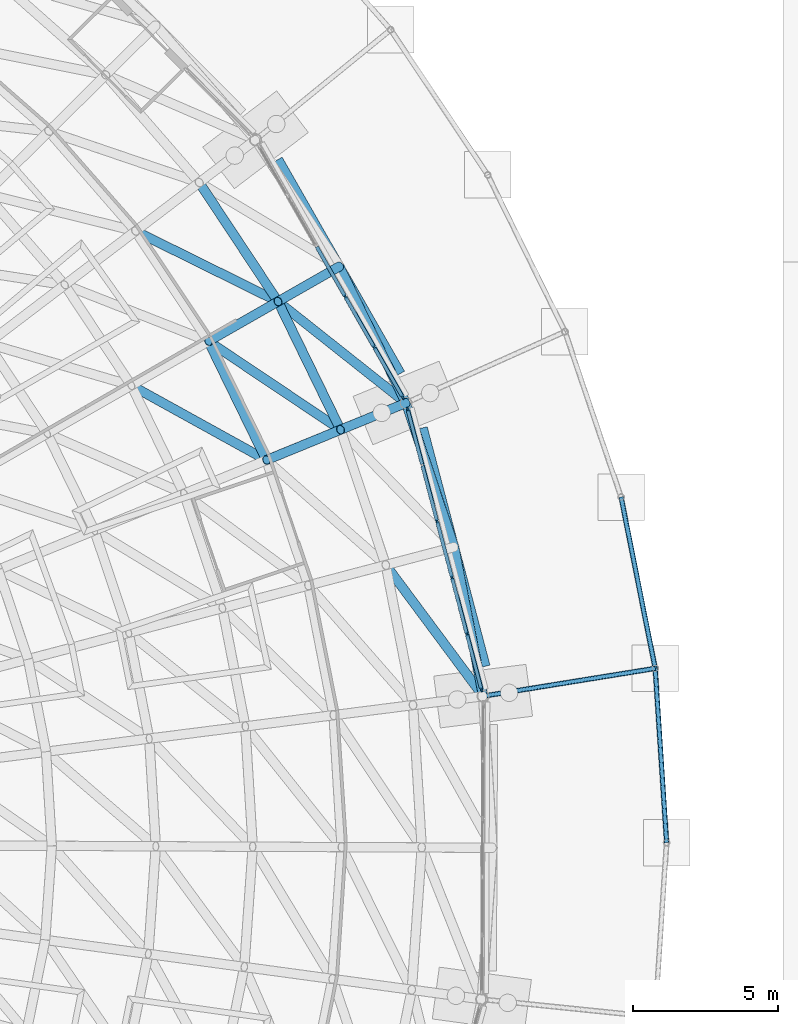
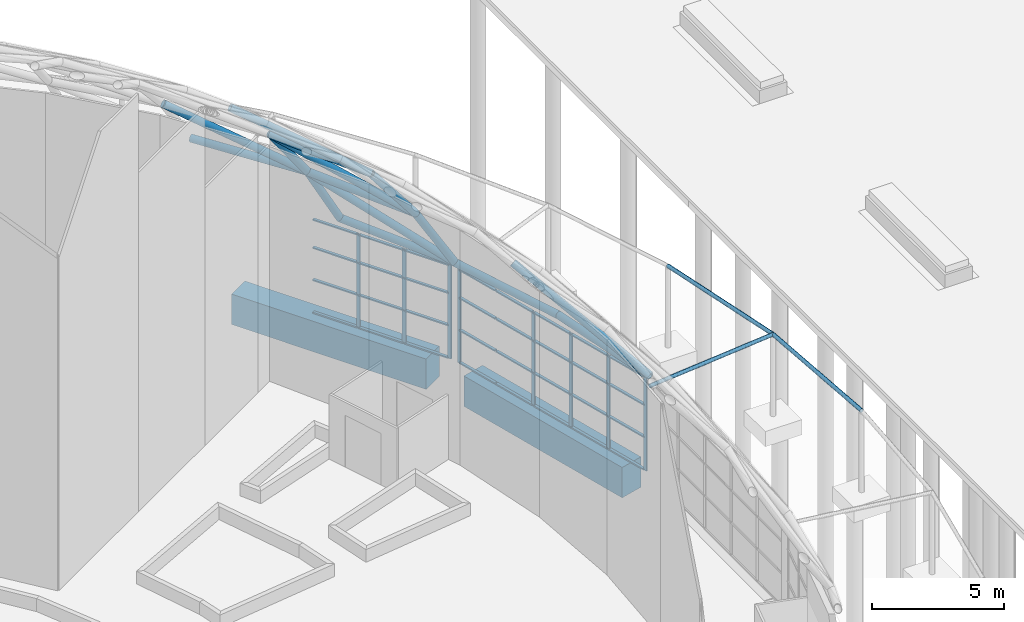
# One storey, part 112 of 226: 58 members, 2 beams, 2 elements without a shape of their own.
"""IFC4 building model written with IfcOpenShell, lengths in metres."""

from ifc_helpers import new_model, si_unit, direction, frame, origin, origin_2d, place, context, subcontext, project, spatial, rectangle, hollow_circle, extrude, material, material_profile, profile_set, type_object, element, aggregate, save


model = new_model("IFC4")

# Units and contexts
model_context = context("Model", 3, precision=1e-05, world=origin(), true_north=direction((0.0, 1.0)))
body_context = subcontext(model_context, "Body", "Model", "MODEL_VIEW")
ifc_project = project(units=[si_unit("LENGTHUNIT", "METRE"), si_unit("AREAUNIT", "SQUARE_METRE"), si_unit("VOLUMEUNIT", "CUBIC_METRE"), si_unit("PLANEANGLEUNIT", "RADIAN"), si_unit("MASSUNIT", "GRAM", prefix="KILO")], contexts=[model_context])

# Site, building, storey
site_placement = place(None, origin())
site = spatial("IfcSite", under=ifc_project, at=site_placement, CompositionType="ELEMENT")
building_placement = place(site_placement, origin())
building = spatial("IfcBuilding", under=site, at=building_placement, Name="Ceibo Conservatory and Research Tower", CompositionType="ELEMENT")
storey_placement = place(building_placement, origin())
storey = spatial("IfcBuildingStorey", under=building, at=storey_placement, Name="L00", CompositionType="ELEMENT", Elevation=0.0)

# Members
ifc_material_1 = material(Name="Steel ASTM A500 Gr C", Category="steel")
ifc_material_profile_1 = material_profile(ifc_material_1, hollow_circle(Radius=0.084228515625, WallThickness=0.007080078125, at=origin_2d()), Name="CHS 168.3x7.11")
ifc_profile_set_1 = profile_set([ifc_material_profile_1], Name="Steel ASTM A500 Gr C")
member_type_1 = type_object("IfcMemberType", Name="CHS 168.3x7.11", PredefinedType="NOTDEFINED", material=ifc_profile_set_1)
member_1_placement = place(storey_placement, frame((195.68017578125, 113.0478515625, 4.0), z_axis=(0.986210413701, 0.159140899335, -0.045422396083), x_axis=(-0.159305323087, 0.987229362426, 0.0)))
element("IfcMember", 1, at=member_1_placement, inside=storey, type_object=member_type_1, Name="Brim brace bracket A-BK01", PredefinedType="BRACE", context=body_context, shape_type="SweptSolid", body=[
    extrude(hollow_circle(Radius=0.084228515625, WallThickness=0.007080078125, at=origin_2d()), origin(), (0.0, 0.0, 1.0), 6.009033203125),
])
member_2_placement = place(storey_placement, frame((201.6064453125, 114.004150390625, 3.72705078125), z_axis=(-0.195077510829, 0.980783833043, -0.002799573263), x_axis=(-0.980787676566, -0.195078275304, 0.0)))
element("IfcMember", 2, at=member_2_placement, inside=storey, type_object=member_type_1, Name="Brim tip ring A-TR01", PredefinedType="CHORD", context=body_context, shape_type="SweptSolid", body=[
    extrude(hollow_circle(Radius=0.084228515625, WallThickness=0.007080078125, at=origin_2d()), origin(), (0.0, 0.0, 1.0), 6.017333984375),
])
member_3_placement = place(storey_placement, frame((202.0, 108.0, 3.710205078125), z_axis=(-0.065406493625, 0.99785477526, 0.002799657606), x_axis=(-0.997858685917, -0.065406749957, 0.0)))
element("IfcMember", 3, at=member_3_placement, inside=storey, type_object=member_type_1, Name="Brim tip ring A-TR31", PredefinedType="CHORD", context=body_context, shape_type="SweptSolid", body=[
    extrude(hollow_circle(Radius=0.084228515625, WallThickness=0.007080078125, at=origin_2d()), origin(), (0.0, 0.0, 1.0), 6.01708984375),
])
ifc_material_profile_2 = material_profile(ifc_material_1, hollow_circle(Radius=0.161865234375, WallThickness=0.01025390625, at=origin_2d()), Name="CHS 323.9x10.31")
ifc_profile_set_2 = profile_set([ifc_material_profile_2], Name="Steel ASTM A500 Gr C")
member_type_2 = type_object("IfcMemberType", Name="CHS 323.9x10.31", PredefinedType="NOTDEFINED", material=ifc_profile_set_2)
member_4_placement = place(storey_placement, frame((190.76806640625, 122.22412109375, 8.115966796875), z_axis=(-0.438426569084, 0.898767012924, 0.0), x_axis=(-0.898767012924, -0.438426569084, 0.0)))
element("IfcMember", 4, at=member_4_placement, inside=storey, type_object=member_type_2, Name="Gridshell member A-C02-03", PredefinedType="CHORD", context=body_context, shape_type="SweptSolid", body=[
    extrude(hollow_circle(Radius=0.161865234375, WallThickness=0.01025390625, at=origin_2d()), origin(), (0.0, 0.0, 1.0), 4.9130859375),
])
member_5_placement = place(storey_placement, frame((188.614013671875, 126.639892578125, 8.115966796875), z_axis=(-0.551853690439, 0.833940947759, 0.0), x_axis=(-0.833940947759, -0.551853690439, 0.0)))
element("IfcMember", 5, at=member_5_placement, inside=storey, type_object=member_type_2, Name="Gridshell member A-C02-04", PredefinedType="CHORD", context=body_context, shape_type="SweptSolid", body=[
    extrude(hollow_circle(Radius=0.161865234375, WallThickness=0.01025390625, at=origin_2d()), origin(), (0.0, 0.0, 1.0), 4.914306640625),
])
member_6_placement = place(storey_placement, frame((188.212890625, 121.178955078125, 11.489013671875), z_axis=(-0.43820278883, 0.898876140445, 0.0), x_axis=(-0.898876140445, -0.43820278883, 0.0)))
element("IfcMember", 6, at=member_6_placement, inside=storey, type_object=member_type_2, Name="Gridshell member A-C03-03", PredefinedType="CHORD", context=body_context, shape_type="SweptSolid", body=[
    extrude(hollow_circle(Radius=0.161865234375, WallThickness=0.01025390625, at=origin_2d()), origin(), (0.0, 0.0, 1.0), 4.552490234375),
])
ifc_material_profile_3 = material_profile(ifc_material_1, hollow_circle(Radius=0.161865234375, WallThickness=0.01416015625, at=origin_2d()), Name="CHS 323.9x14.27")
ifc_profile_set_3 = profile_set([ifc_material_profile_3], Name="Steel ASTM A500 Gr C")
member_type_3 = type_object("IfcMemberType", Name="CHS 323.9x14.27", PredefinedType="NOTDEFINED", material=ifc_profile_set_3)
member_7_placement = place(storey_placement, frame((193.02197265625, 123.14599609375, 4.5), z_axis=(-0.517011318733, -0.211463901596, 0.829446993257), x_axis=(0.378570383868, -0.925572506321, 0.0)))
element("IfcMember", 7, at=member_7_placement, inside=storey, type_object=member_type_3, Name="Gridshell member A-M03-01", PredefinedType="RAFTER", context=body_context, shape_type="SweptSolid", body=[
    extrude(hollow_circle(Radius=0.161865234375, WallThickness=0.01416015625, at=origin_2d()), origin(), (0.0, 0.0, 1.0), 4.359375),
])
member_8_placement = place(storey_placement, frame((190.72802734375, 127.84912109375, 4.5), z_axis=(-0.48490501886, -0.277368582794, 0.829417742735), x_axis=(0.496516740391, -0.868027146183, 0.0)))
element("IfcMember", 8, at=member_8_placement, inside=storey, type_object=member_type_3, Name="Gridshell member A-M04-01", PredefinedType="RAFTER", context=body_context, shape_type="SweptSolid", body=[
    extrude(hollow_circle(Radius=0.161865234375, WallThickness=0.01416015625, at=origin_2d()), origin(), (0.0, 0.0, 1.0), 4.359619140625),
])
member_9_placement = place(storey_placement, frame((190.76806640625, 122.22412109375, 8.115966796875), z_axis=(-0.586216957441, -0.239785476286, 0.773855673993), x_axis=(0.378591523362, -0.92556385973, 0.0)))
element("IfcMember", 9, at=member_9_placement, inside=storey, type_object=member_type_3, Name="Gridshell member A-M03-02", PredefinedType="RAFTER", context=body_context, shape_type="SweptSolid", body=[
    extrude(hollow_circle(Radius=0.161865234375, WallThickness=0.01416015625, at=origin_2d()), origin(), (0.0, 0.0, 1.0), 4.358642578125),
])
member_10_placement = place(storey_placement, frame((188.614013671875, 126.639892578125, 8.115966796875), z_axis=(-0.549793222513, -0.314111534403, 0.773990540274), x_axis=(0.496072241307, -0.868281251326, 0.0)))
element("IfcMember", 10, at=member_10_placement, inside=storey, type_object=member_type_3, Name="Gridshell member A-M04-02", PredefinedType="RAFTER", context=body_context, shape_type="SweptSolid", body=[
    extrude(hollow_circle(Radius=0.161865234375, WallThickness=0.01416015625, at=origin_2d()), origin(), (0.0, 0.0, 1.0), 4.35791015625),
])
ifc_material_2 = material(Name="Steel S355J2H", Category="steel")
ifc_material_profile_4 = material_profile(ifc_material_2, hollow_circle(Radius=0.161865234375, WallThickness=0.025390625, at=origin_2d()), Name="CHS 323.9x25.40")
ifc_profile_set_4 = profile_set([ifc_material_profile_4], Name="Steel S355J2H")
member_type_4 = type_object("IfcMemberType", Name="CHS 323.9x25.40", PredefinedType="NOTDEFINED", material=ifc_profile_set_4)
for number, where, z_axis, x_axis, name in (
    (11, (195.679931640625, 113.048095703125, 4.5), (-0.190756002721, 0.981637482692, 0.0), (-0.981637482692, -0.190756002721, 0.0), "Gridshell member A-C01-01"),
    (12, (194.681884765625, 118.18408203125, 4.5), (-0.317249462726, 0.948342120967, 0.0), (-0.948342120967, -0.317249462726, 0.0), "Gridshell member A-C01-02"),
):
    element("IfcMember", number, at=place(storey_placement, frame(where, z_axis=z_axis, x_axis=x_axis)), inside=storey, type_object=member_type_4, Name=name, PredefinedType="CHORD", context=body_context, shape_type="SweptSolid", body=[
        extrude(hollow_circle(Radius=0.161865234375, WallThickness=0.025390625, at=origin_2d()), origin(), (0.0, 0.0, 1.0), 5.232177734375),
    ])
member_11_placement = place(storey_placement, frame((193.02197265625, 123.14599609375, 4.5), z_axis=(-0.4383831856, 0.898788174479, 0.0), x_axis=(-0.898788174479, -0.4383831856, 0.0)))
element("IfcMember", 13, at=member_11_placement, inside=storey, type_object=member_type_4, Name="Gridshell member A-C01-03", PredefinedType="CHORD", context=body_context, shape_type="SweptSolid", body=[
    extrude(hollow_circle(Radius=0.161865234375, WallThickness=0.025390625, at=origin_2d()), origin(), (0.0, 0.0, 1.0), 5.232666015625),
])
ifc_material_profile_5 = material_profile(ifc_material_1, hollow_circle(Radius=0.161865234375, WallThickness=0.00830078125, at=origin_2d()), Name="CHS 323.9x8.38")
ifc_profile_set_5 = profile_set([ifc_material_profile_5], Name="Steel ASTM A500 Gr C")
member_type_5 = type_object("IfcMemberType", Name="CHS 323.9x8.38", PredefinedType="NOTDEFINED", material=ifc_profile_set_5)
member_12_placement = place(storey_placement, frame((195.679931640625, 113.048095703125, 4.5), z_axis=(-0.50145215671, 0.675357546429, 0.540775294381), x_axis=(-0.802881556814, -0.596138579298, 0.0)))
element("IfcMember", 14, at=member_12_placement, inside=storey, type_object=member_type_5, Name="Gridshell diagonal member A-D01-01", PredefinedType="BRACE", context=body_context, shape_type="SweptSolid", body=[
    extrude(hollow_circle(Radius=0.161865234375, WallThickness=0.00830078125, at=origin_2d()), origin(), (0.0, 0.0, 1.0), 6.6865234375),
])
member_13_placement = place(storey_placement, frame((193.02197265625, 123.14599609375, 4.5), z_axis=(-0.659207944056, 0.522510378698, 0.540765929627), x_axis=(-0.621168662427, -0.783676905885, 0.0)))
element("IfcMember", 15, at=member_13_placement, inside=storey, type_object=member_type_5, Name="Gridshell diagonal member A-D01-03", PredefinedType="BRACE", context=body_context, shape_type="SweptSolid", body=[
    extrude(hollow_circle(Radius=0.161865234375, WallThickness=0.00830078125, at=origin_2d()), origin(), (0.0, 0.0, 1.0), 6.686767578125),
])
member_14_placement = place(storey_placement, frame((190.76806640625, 122.22412109375, 8.115966796875), z_axis=(-0.707466124011, 0.473744552646, 0.524459514371), x_axis=(-0.556406933546, -0.83090993754, 0.0)))
element("IfcMember", 16, at=member_14_placement, inside=storey, type_object=member_type_5, Name="Gridshell diagonal member A-D02-03", PredefinedType="BRACE", context=body_context, shape_type="SweptSolid", body=[
    extrude(hollow_circle(Radius=0.161865234375, WallThickness=0.00830078125, at=origin_2d()), origin(), (0.0, 0.0, 1.0), 6.431396484375),
])
member_15_placement = place(storey_placement, frame((188.614013671875, 126.639892578125, 8.115966796875), z_axis=(-0.763253049819, 0.37735607342, 0.524449402512), x_axis=(-0.443196652189, -0.896424412591, 0.0)))
element("IfcMember", 17, at=member_15_placement, inside=storey, type_object=member_type_5, Name="Gridshell diagonal member A-D02-04", PredefinedType="BRACE", context=body_context, shape_type="SweptSolid", body=[
    extrude(hollow_circle(Radius=0.161865234375, WallThickness=0.00830078125, at=origin_2d()), origin(), (0.0, 0.0, 1.0), 6.431640625),
])
member_16_placement = place(storey_placement, frame((188.212890625, 121.178955078125, 11.489013671875), z_axis=(-0.75598317386, 0.417809397577, 0.503909464226), x_axis=(-0.483712028352, -0.875227212572, 0.0)))
element("IfcMember", 18, at=member_16_placement, inside=storey, type_object=member_type_5, Name="Gridshell diagonal member A-D03-03", PredefinedType="BRACE", context=body_context, shape_type="SweptSolid", body=[
    extrude(hollow_circle(Radius=0.161865234375, WallThickness=0.00830078125, at=origin_2d()), origin(), (0.0, 0.0, 1.0), 6.156005859375),
])

# Curtain wall, members
ifc_material_3 = material(Name="Aluminium and glass", Category="aluminium")
curtain_wall_type = type_object("IfcCurtainWallType", Name="Drum curtain wall", PredefinedType="NOTDEFINED", material=ifc_material_3)
curtain_wall_1_placement = place(storey_placement, origin())
curtain_wall_1 = element("IfcCurtainWall", 19, at=curtain_wall_1_placement, inside=storey, type_object=curtain_wall_type, Name="Drum curtain wall A-CW01", PredefinedType="NOTDEFINED")
ifc_material_4 = material(Name="Aluminium", Category="aluminium")
ifc_material_profile_6 = material_profile(ifc_material_4, rectangle(XDim=0.06005859375, YDim=0.159912109375, at=origin_2d()), Name="AL 60x160")
ifc_profile_set_6 = profile_set([ifc_material_profile_6], Name="Aluminium")
member_type_6 = type_object("IfcMemberType", Name="Drum mullion 60x160", PredefinedType="MULLION", material=ifc_profile_set_6)
member_17_placement = place(storey_placement, frame((195.620849609375, 113.2734375, 0.0), z_axis=(0.0, 0.0, 1.0), x_axis=(-0.967045935266, -0.254601962062, 0.0)))
member_17 = element("IfcMember", 20, at=member_17_placement, type_object=member_type_6, Name="A-CW01 mullion 1", PredefinedType="MULLION", context=body_context, shape_type="SweptSolid", body=[
    extrude(rectangle(XDim=0.06005859375, YDim=0.159912109375, at=origin_2d()), origin(), (0.0, 0.0, 1.0), 4.338134765625),
])
member_18_placement = place(storey_placement, frame((195.117431640625, 115.185546875, 0.0), z_axis=(0.0, 0.0, 1.0), x_axis=(-0.967045935266, -0.254601962062, 0.0)))
member_18 = element("IfcMember", 21, at=member_18_placement, type_object=member_type_6, Name="A-CW01 mullion 2", PredefinedType="MULLION", context=body_context, shape_type="SweptSolid", body=[
    extrude(rectangle(XDim=0.06005859375, YDim=0.159912109375, at=origin_2d()), origin(), (0.0, 0.0, 1.0), 4.338134765625),
])
member_19_placement = place(storey_placement, frame((194.6064453125, 117.12646484375, 0.0), z_axis=(0.0, 0.0, 1.0), x_axis=(-0.967045935266, -0.254601962062, 0.0)))
member_19 = element("IfcMember", 22, at=member_19_placement, type_object=member_type_6, Name="A-CW01 mullion 3", PredefinedType="MULLION", context=body_context, shape_type="SweptSolid", body=[
    extrude(rectangle(XDim=0.06005859375, YDim=0.159912109375, at=origin_2d()), origin(), (0.0, 0.0, 1.0), 4.338134765625),
])
member_20_placement = place(storey_placement, frame((194.095458984375, 119.0673828125, 0.0), z_axis=(0.0, 0.0, 1.0), x_axis=(-0.967045935266, -0.254601962062, 0.0)))
member_20 = element("IfcMember", 23, at=member_20_placement, type_object=member_type_6, Name="A-CW01 mullion 4", PredefinedType="MULLION", context=body_context, shape_type="SweptSolid", body=[
    extrude(rectangle(XDim=0.06005859375, YDim=0.159912109375, at=origin_2d()), origin(), (0.0, 0.0, 1.0), 4.338134765625),
])
member_21_placement = place(storey_placement, frame((193.0810546875, 122.92041015625, 0.0), z_axis=(0.0, 0.0, 1.0), x_axis=(-0.967045935266, -0.254601962062, 0.0)))
member_21 = element("IfcMember", 24, at=member_21_placement, type_object=member_type_6, Name="A-CW01 mullion 6", PredefinedType="MULLION", context=body_context, shape_type="SweptSolid", body=[
    extrude(rectangle(XDim=0.06005859375, YDim=0.159912109375, at=origin_2d()), origin(), (0.0, 0.0, 1.0), 4.338134765625),
])

curtain_wall_2_placement = place(storey_placement, origin())
curtain_wall_2 = element("IfcCurtainWall", 25, at=curtain_wall_2_placement, inside=storey, type_object=curtain_wall_type, Name="Drum curtain wall A-CW02", PredefinedType="NOTDEFINED")
member_22_placement = place(storey_placement, frame((192.906005859375, 123.348388671875, 0.0), z_axis=(0.0, 0.0, 1.0), x_axis=(-0.868198821002, -0.49621649228, 0.0)))
member_22 = element("IfcMember", 26, at=member_22_placement, type_object=member_type_6, Name="A-CW02 mullion 1", PredefinedType="MULLION", context=body_context, shape_type="SweptSolid", body=[
    extrude(rectangle(XDim=0.06005859375, YDim=0.159912109375, at=origin_2d()), origin(), (0.0, 0.0, 1.0), 4.338134765625),
])
member_23_placement = place(storey_placement, frame((191.9248046875, 125.06494140625, 0.0), z_axis=(0.0, 0.0, 1.0), x_axis=(-0.868198821002, -0.49621649228, 0.0)))
member_23 = element("IfcMember", 27, at=member_23_placement, type_object=member_type_6, Name="A-CW02 mullion 2", PredefinedType="MULLION", context=body_context, shape_type="SweptSolid", body=[
    extrude(rectangle(XDim=0.06005859375, YDim=0.159912109375, at=origin_2d()), origin(), (0.0, 0.0, 1.0), 4.338134765625),
])
member_24_placement = place(storey_placement, frame((190.928955078125, 126.8076171875, 0.0), z_axis=(0.0, 0.0, 1.0), x_axis=(-0.868198821002, -0.49621649228, 0.0)))
member_24 = element("IfcMember", 28, at=member_24_placement, type_object=member_type_6, Name="A-CW02 mullion 3", PredefinedType="MULLION", context=body_context, shape_type="SweptSolid", body=[
    extrude(rectangle(XDim=0.06005859375, YDim=0.159912109375, at=origin_2d()), origin(), (0.0, 0.0, 1.0), 4.338134765625),
])

# Member
ifc_material_profile_7 = material_profile(ifc_material_4, rectangle(XDim=0.1201171875, YDim=0.06005859375, at=origin_2d()), Name="AL 60x120")
ifc_profile_set_7 = profile_set([ifc_material_profile_7], Name="Aluminium")
member_type_7 = type_object("IfcMemberType", Name="Drum transom 60x120", PredefinedType="USERDEFINED", material=ifc_profile_set_7)
member_25_placement = place(storey_placement, frame((195.61328125, 113.302490234375, 0.030029296875), z_axis=(-0.254681336388, 0.967025034265, 0.0), x_axis=(-0.967025034265, -0.254681336388, 0.0)))
member_25 = element("IfcMember", 29, at=member_25_placement, type_object=member_type_7, Name="A-CW01 transom 1.1", ObjectType="TRANSOM", PredefinedType="USERDEFINED", context=body_context, shape_type="SweptSolid", body=[
    extrude(rectangle(XDim=0.1201171875, YDim=0.06005859375, at=origin_2d()), origin(), (0.0, 0.0, 1.0), 1.917236328125),
])

member_26_placement = place(storey_placement, frame((195.61328125, 113.302490234375, 1.530029296875), z_axis=(-0.254681336388, 0.967025034265, 0.0), x_axis=(-0.967025034265, -0.254681336388, 0.0)))
member_26 = element("IfcMember", 30, at=member_26_placement, type_object=member_type_7, Name="A-CW01 transom 1.2", ObjectType="TRANSOM", PredefinedType="USERDEFINED", context=body_context, shape_type="SweptSolid", body=[
    extrude(rectangle(XDim=0.1201171875, YDim=0.06005859375, at=origin_2d()), origin(), (0.0, 0.0, 1.0), 1.917236328125),
])

member_27_placement = place(storey_placement, frame((195.61328125, 113.302490234375, 3.014892578125), z_axis=(-0.254681336388, 0.967025034265, 0.0), x_axis=(-0.967025034265, -0.254681336388, 0.0)))
member_27 = element("IfcMember", 31, at=member_27_placement, type_object=member_type_7, Name="A-CW01 transom 1.3", ObjectType="TRANSOM", PredefinedType="USERDEFINED", context=body_context, shape_type="SweptSolid", body=[
    extrude(rectangle(XDim=0.1201171875, YDim=0.06005859375, at=origin_2d()), origin(), (0.0, 0.0, 1.0), 1.917236328125),
])

member_28_placement = place(storey_placement, frame((195.61328125, 113.302490234375, 4.30810546875), z_axis=(-0.254681336388, 0.967025034265, 0.0), x_axis=(-0.967025034265, -0.254681336388, 0.0)))
member_28 = element("IfcMember", 32, at=member_28_placement, type_object=member_type_7, Name="A-CW01 transom 1.4", ObjectType="TRANSOM", PredefinedType="USERDEFINED", context=body_context, shape_type="SweptSolid", body=[
    extrude(rectangle(XDim=0.1201171875, YDim=0.06005859375, at=origin_2d()), origin(), (0.0, 0.0, 1.0), 1.917236328125),
])

member_29_placement = place(storey_placement, frame((195.10986328125, 115.21435546875, 0.030029296875), z_axis=(-0.254641410477, 0.967035548504, 0.0), x_axis=(-0.967035548504, -0.254641410477, 0.0)))
member_29 = element("IfcMember", 33, at=member_29_placement, type_object=member_type_7, Name="A-CW01 transom 2.1", ObjectType="TRANSOM", PredefinedType="USERDEFINED", context=body_context, shape_type="SweptSolid", body=[
    extrude(rectangle(XDim=0.1201171875, YDim=0.06005859375, at=origin_2d()), origin(), (0.0, 0.0, 1.0), 1.947265625),
])

member_30_placement = place(storey_placement, frame((195.10986328125, 115.21435546875, 1.530029296875), z_axis=(-0.254641410477, 0.967035548504, 0.0), x_axis=(-0.967035548504, -0.254641410477, 0.0)))
member_30 = element("IfcMember", 34, at=member_30_placement, type_object=member_type_7, Name="A-CW01 transom 2.2", ObjectType="TRANSOM", PredefinedType="USERDEFINED", context=body_context, shape_type="SweptSolid", body=[
    extrude(rectangle(XDim=0.1201171875, YDim=0.06005859375, at=origin_2d()), origin(), (0.0, 0.0, 1.0), 1.947265625),
])

member_31_placement = place(storey_placement, frame((195.10986328125, 115.21435546875, 3.014892578125), z_axis=(-0.254641410477, 0.967035548504, 0.0), x_axis=(-0.967035548504, -0.254641410477, 0.0)))
member_31 = element("IfcMember", 35, at=member_31_placement, type_object=member_type_7, Name="A-CW01 transom 2.3", ObjectType="TRANSOM", PredefinedType="USERDEFINED", context=body_context, shape_type="SweptSolid", body=[
    extrude(rectangle(XDim=0.1201171875, YDim=0.06005859375, at=origin_2d()), origin(), (0.0, 0.0, 1.0), 1.947265625),
])

member_32_placement = place(storey_placement, frame((195.10986328125, 115.21435546875, 4.30810546875), z_axis=(-0.254641410477, 0.967035548504, 0.0), x_axis=(-0.967035548504, -0.254641410477, 0.0)))
member_32 = element("IfcMember", 36, at=member_32_placement, type_object=member_type_7, Name="A-CW01 transom 2.4", ObjectType="TRANSOM", PredefinedType="USERDEFINED", context=body_context, shape_type="SweptSolid", body=[
    extrude(rectangle(XDim=0.1201171875, YDim=0.06005859375, at=origin_2d()), origin(), (0.0, 0.0, 1.0), 1.947265625),
])

member_33_placement = place(storey_placement, frame((194.598876953125, 117.155517578125, 0.030029296875), z_axis=(-0.254672287926, 0.967027417275, 0.0), x_axis=(-0.967027417275, -0.254672287926, 0.0)))
member_33 = element("IfcMember", 37, at=member_33_placement, type_object=member_type_7, Name="A-CW01 transom 3.1", ObjectType="TRANSOM", PredefinedType="USERDEFINED", context=body_context, shape_type="SweptSolid", body=[
    extrude(rectangle(XDim=0.1201171875, YDim=0.06005859375, at=origin_2d()), origin(), (0.0, 0.0, 1.0), 1.947021484375),
])

member_34_placement = place(storey_placement, frame((194.598876953125, 117.155517578125, 1.530029296875), z_axis=(-0.254672287926, 0.967027417275, 0.0), x_axis=(-0.967027417275, -0.254672287926, 0.0)))
member_34 = element("IfcMember", 38, at=member_34_placement, type_object=member_type_7, Name="A-CW01 transom 3.2", ObjectType="TRANSOM", PredefinedType="USERDEFINED", context=body_context, shape_type="SweptSolid", body=[
    extrude(rectangle(XDim=0.1201171875, YDim=0.06005859375, at=origin_2d()), origin(), (0.0, 0.0, 1.0), 1.947021484375),
])

member_35_placement = place(storey_placement, frame((194.598876953125, 117.155517578125, 3.014892578125), z_axis=(-0.254672287926, 0.967027417275, 0.0), x_axis=(-0.967027417275, -0.254672287926, 0.0)))
member_35 = element("IfcMember", 39, at=member_35_placement, type_object=member_type_7, Name="A-CW01 transom 3.3", ObjectType="TRANSOM", PredefinedType="USERDEFINED", context=body_context, shape_type="SweptSolid", body=[
    extrude(rectangle(XDim=0.1201171875, YDim=0.06005859375, at=origin_2d()), origin(), (0.0, 0.0, 1.0), 1.947021484375),
])

member_36_placement = place(storey_placement, frame((194.598876953125, 117.155517578125, 4.30810546875), z_axis=(-0.254672287926, 0.967027417275, 0.0), x_axis=(-0.967027417275, -0.254672287926, 0.0)))
member_36 = element("IfcMember", 40, at=member_36_placement, type_object=member_type_7, Name="A-CW01 transom 3.4", ObjectType="TRANSOM", PredefinedType="USERDEFINED", context=body_context, shape_type="SweptSolid", body=[
    extrude(rectangle(XDim=0.1201171875, YDim=0.06005859375, at=origin_2d()), origin(), (0.0, 0.0, 1.0), 1.947021484375),
])

member_37_placement = place(storey_placement, frame((194.087646484375, 119.096435546875, 0.030029296875), z_axis=(-0.254524157256, 0.967066416216, 0.0), x_axis=(-0.967066416216, -0.254524157256, 0.0)))
member_37 = element("IfcMember", 41, at=member_37_placement, type_object=member_type_7, Name="A-CW01 transom 4.1", ObjectType="TRANSOM", PredefinedType="USERDEFINED", context=body_context, shape_type="SweptSolid", body=[
    extrude(rectangle(XDim=0.1201171875, YDim=0.06005859375, at=origin_2d()), origin(), (0.0, 0.0, 1.0), 1.947265625),
])

member_38_placement = place(storey_placement, frame((194.087646484375, 119.096435546875, 1.530029296875), z_axis=(-0.254524157256, 0.967066416216, 0.0), x_axis=(-0.967066416216, -0.254524157256, 0.0)))
member_38 = element("IfcMember", 42, at=member_38_placement, type_object=member_type_7, Name="A-CW01 transom 4.2", ObjectType="TRANSOM", PredefinedType="USERDEFINED", context=body_context, shape_type="SweptSolid", body=[
    extrude(rectangle(XDim=0.1201171875, YDim=0.06005859375, at=origin_2d()), origin(), (0.0, 0.0, 1.0), 1.947265625),
])

member_39_placement = place(storey_placement, frame((194.087646484375, 119.096435546875, 3.014892578125), z_axis=(-0.254524157256, 0.967066416216, 0.0), x_axis=(-0.967066416216, -0.254524157256, 0.0)))
member_39 = element("IfcMember", 43, at=member_39_placement, type_object=member_type_7, Name="A-CW01 transom 4.3", ObjectType="TRANSOM", PredefinedType="USERDEFINED", context=body_context, shape_type="SweptSolid", body=[
    extrude(rectangle(XDim=0.1201171875, YDim=0.06005859375, at=origin_2d()), origin(), (0.0, 0.0, 1.0), 1.947265625),
])

member_40_placement = place(storey_placement, frame((194.087646484375, 119.096435546875, 4.30810546875), z_axis=(-0.254524157256, 0.967066416216, 0.0), x_axis=(-0.967066416216, -0.254524157256, 0.0)))
member_40 = element("IfcMember", 44, at=member_40_placement, type_object=member_type_7, Name="A-CW01 transom 4.4", ObjectType="TRANSOM", PredefinedType="USERDEFINED", context=body_context, shape_type="SweptSolid", body=[
    extrude(rectangle(XDim=0.1201171875, YDim=0.06005859375, at=origin_2d()), origin(), (0.0, 0.0, 1.0), 1.947265625),
])

member_41_placement = place(storey_placement, frame((193.57666015625, 121.037353515625, 0.030029296875), z_axis=(-0.254562249572, 0.967056389821, 0.0), x_axis=(-0.967056389821, -0.254562249572, 0.0)))
member_41 = element("IfcMember", 45, at=member_41_placement, type_object=member_type_7, Name="A-CW01 transom 5.1", ObjectType="TRANSOM", PredefinedType="USERDEFINED", context=body_context, shape_type="SweptSolid", body=[
    extrude(rectangle(XDim=0.1201171875, YDim=0.06005859375, at=origin_2d()), origin(), (0.0, 0.0, 1.0), 1.917236328125),
])

member_42_placement = place(storey_placement, frame((193.57666015625, 121.037353515625, 1.530029296875), z_axis=(-0.254562249572, 0.967056389821, 0.0), x_axis=(-0.967056389821, -0.254562249572, 0.0)))
member_42 = element("IfcMember", 46, at=member_42_placement, type_object=member_type_7, Name="A-CW01 transom 5.2", ObjectType="TRANSOM", PredefinedType="USERDEFINED", context=body_context, shape_type="SweptSolid", body=[
    extrude(rectangle(XDim=0.1201171875, YDim=0.06005859375, at=origin_2d()), origin(), (0.0, 0.0, 1.0), 1.917236328125),
])

member_43_placement = place(storey_placement, frame((193.57666015625, 121.037353515625, 3.014892578125), z_axis=(-0.254562249572, 0.967056389821, 0.0), x_axis=(-0.967056389821, -0.254562249572, 0.0)))
member_43 = element("IfcMember", 47, at=member_43_placement, type_object=member_type_7, Name="A-CW01 transom 5.3", ObjectType="TRANSOM", PredefinedType="USERDEFINED", context=body_context, shape_type="SweptSolid", body=[
    extrude(rectangle(XDim=0.1201171875, YDim=0.06005859375, at=origin_2d()), origin(), (0.0, 0.0, 1.0), 1.917236328125),
])

member_44_placement = place(storey_placement, frame((193.57666015625, 121.037353515625, 4.30810546875), z_axis=(-0.254562249572, 0.967056389821, 0.0), x_axis=(-0.967056389821, -0.254562249572, 0.0)))
member_44 = element("IfcMember", 48, at=member_44_placement, type_object=member_type_7, Name="A-CW01 transom 5.4", ObjectType="TRANSOM", PredefinedType="USERDEFINED", context=body_context, shape_type="SweptSolid", body=[
    extrude(rectangle(XDim=0.1201171875, YDim=0.06005859375, at=origin_2d()), origin(), (0.0, 0.0, 1.0), 1.917236328125),
])

aggregate(curtain_wall_1, [member_17, member_18, member_19, member_20, member_21, member_25, member_26, member_27, member_28, member_29, member_30, member_31, member_32, member_33, member_34, member_35, member_36, member_37, member_38, member_39, member_40, member_41, member_42, member_43, member_44])

member_45_placement = place(storey_placement, frame((192.89111328125, 123.37451171875, 0.030029296875), z_axis=(-0.496289793717, 0.868156921675, 0.0), x_axis=(-0.868156921675, -0.496289793717, 0.0)))
member_45 = element("IfcMember", 49, at=member_45_placement, type_object=member_type_7, Name="A-CW02 transom 1.1", ObjectType="TRANSOM", PredefinedType="USERDEFINED", context=body_context, shape_type="SweptSolid", body=[
    extrude(rectangle(XDim=0.1201171875, YDim=0.06005859375, at=origin_2d()), origin(), (0.0, 0.0, 1.0), 1.9169921875),
])

member_46_placement = place(storey_placement, frame((192.89111328125, 123.37451171875, 1.530029296875), z_axis=(-0.496289793717, 0.868156921675, 0.0), x_axis=(-0.868156921675, -0.496289793717, 0.0)))
member_46 = element("IfcMember", 50, at=member_46_placement, type_object=member_type_7, Name="A-CW02 transom 1.2", ObjectType="TRANSOM", PredefinedType="USERDEFINED", context=body_context, shape_type="SweptSolid", body=[
    extrude(rectangle(XDim=0.1201171875, YDim=0.06005859375, at=origin_2d()), origin(), (0.0, 0.0, 1.0), 1.9169921875),
])

member_47_placement = place(storey_placement, frame((192.89111328125, 123.37451171875, 3.014892578125), z_axis=(-0.496289793717, 0.868156921675, 0.0), x_axis=(-0.868156921675, -0.496289793717, 0.0)))
member_47 = element("IfcMember", 51, at=member_47_placement, type_object=member_type_7, Name="A-CW02 transom 1.3", ObjectType="TRANSOM", PredefinedType="USERDEFINED", context=body_context, shape_type="SweptSolid", body=[
    extrude(rectangle(XDim=0.1201171875, YDim=0.06005859375, at=origin_2d()), origin(), (0.0, 0.0, 1.0), 1.9169921875),
])

member_48_placement = place(storey_placement, frame((192.89111328125, 123.37451171875, 4.30810546875), z_axis=(-0.496289793717, 0.868156921675, 0.0), x_axis=(-0.868156921675, -0.496289793717, 0.0)))
member_48 = element("IfcMember", 52, at=member_48_placement, type_object=member_type_7, Name="A-CW02 transom 1.4", ObjectType="TRANSOM", PredefinedType="USERDEFINED", context=body_context, shape_type="SweptSolid", body=[
    extrude(rectangle(XDim=0.1201171875, YDim=0.06005859375, at=origin_2d()), origin(), (0.0, 0.0, 1.0), 1.9169921875),
])

member_49_placement = place(storey_placement, frame((191.909912109375, 125.091064453125, 0.030029296875), z_axis=(-0.496273962393, 0.868165971604, 0.0), x_axis=(-0.868165971604, -0.496273962393, 0.0)))
member_49 = element("IfcMember", 53, at=member_49_placement, type_object=member_type_7, Name="A-CW02 transom 2.1", ObjectType="TRANSOM", PredefinedType="USERDEFINED", context=body_context, shape_type="SweptSolid", body=[
    extrude(rectangle(XDim=0.1201171875, YDim=0.06005859375, at=origin_2d()), origin(), (0.0, 0.0, 1.0), 1.947021484375),
])

member_50_placement = place(storey_placement, frame((191.909912109375, 125.091064453125, 1.530029296875), z_axis=(-0.496273962393, 0.868165971604, 0.0), x_axis=(-0.868165971604, -0.496273962393, 0.0)))
member_50 = element("IfcMember", 54, at=member_50_placement, type_object=member_type_7, Name="A-CW02 transom 2.2", ObjectType="TRANSOM", PredefinedType="USERDEFINED", context=body_context, shape_type="SweptSolid", body=[
    extrude(rectangle(XDim=0.1201171875, YDim=0.06005859375, at=origin_2d()), origin(), (0.0, 0.0, 1.0), 1.947021484375),
])

member_51_placement = place(storey_placement, frame((191.909912109375, 125.091064453125, 3.014892578125), z_axis=(-0.496273962393, 0.868165971604, 0.0), x_axis=(-0.868165971604, -0.496273962393, 0.0)))
member_51 = element("IfcMember", 55, at=member_51_placement, type_object=member_type_7, Name="A-CW02 transom 2.3", ObjectType="TRANSOM", PredefinedType="USERDEFINED", context=body_context, shape_type="SweptSolid", body=[
    extrude(rectangle(XDim=0.1201171875, YDim=0.06005859375, at=origin_2d()), origin(), (0.0, 0.0, 1.0), 1.947021484375),
])

member_52_placement = place(storey_placement, frame((191.909912109375, 125.091064453125, 4.30810546875), z_axis=(-0.496273962393, 0.868165971604, 0.0), x_axis=(-0.868165971604, -0.496273962393, 0.0)))
member_52 = element("IfcMember", 56, at=member_52_placement, type_object=member_type_7, Name="A-CW02 transom 2.4", ObjectType="TRANSOM", PredefinedType="USERDEFINED", context=body_context, shape_type="SweptSolid", body=[
    extrude(rectangle(XDim=0.1201171875, YDim=0.06005859375, at=origin_2d()), origin(), (0.0, 0.0, 1.0), 1.947021484375),
])

member_53_placement = place(storey_placement, frame((190.9140625, 126.83349609375, 0.030029296875), z_axis=(-0.496219945401, 0.868196847372, 0.0), x_axis=(-0.868196847372, -0.496219945401, 0.0)))
member_53 = element("IfcMember", 57, at=member_53_placement, type_object=member_type_7, Name="A-CW02 transom 3.1", ObjectType="TRANSOM", PredefinedType="USERDEFINED", context=body_context, shape_type="SweptSolid", body=[
    extrude(rectangle(XDim=0.1201171875, YDim=0.06005859375, at=origin_2d()), origin(), (0.0, 0.0, 1.0), 1.947265625),
])

member_54_placement = place(storey_placement, frame((190.9140625, 126.83349609375, 1.530029296875), z_axis=(-0.496219945401, 0.868196847372, 0.0), x_axis=(-0.868196847372, -0.496219945401, 0.0)))
member_54 = element("IfcMember", 58, at=member_54_placement, type_object=member_type_7, Name="A-CW02 transom 3.2", ObjectType="TRANSOM", PredefinedType="USERDEFINED", context=body_context, shape_type="SweptSolid", body=[
    extrude(rectangle(XDim=0.1201171875, YDim=0.06005859375, at=origin_2d()), origin(), (0.0, 0.0, 1.0), 1.947265625),
])

member_55_placement = place(storey_placement, frame((190.9140625, 126.83349609375, 3.014892578125), z_axis=(-0.496219945401, 0.868196847372, 0.0), x_axis=(-0.868196847372, -0.496219945401, 0.0)))
member_55 = element("IfcMember", 59, at=member_55_placement, type_object=member_type_7, Name="A-CW02 transom 3.3", ObjectType="TRANSOM", PredefinedType="USERDEFINED", context=body_context, shape_type="SweptSolid", body=[
    extrude(rectangle(XDim=0.1201171875, YDim=0.06005859375, at=origin_2d()), origin(), (0.0, 0.0, 1.0), 1.947265625),
])

member_56_placement = place(storey_placement, frame((190.9140625, 126.83349609375, 4.30810546875), z_axis=(-0.496219945401, 0.868196847372, 0.0), x_axis=(-0.868196847372, -0.496219945401, 0.0)))
member_56 = element("IfcMember", 60, at=member_56_placement, type_object=member_type_7, Name="A-CW02 transom 3.4", ObjectType="TRANSOM", PredefinedType="USERDEFINED", context=body_context, shape_type="SweptSolid", body=[
    extrude(rectangle(XDim=0.1201171875, YDim=0.06005859375, at=origin_2d()), origin(), (0.0, 0.0, 1.0), 1.947265625),
])

aggregate(curtain_wall_2, [member_22, member_23, member_24, member_45, member_46, member_47, member_48, member_49, member_50, member_51, member_52, member_53, member_54, member_55, member_56])

# Beams
ifc_material_5 = material(Name="Concrete C35/45", Category="concrete")
ifc_material_profile_8 = material_profile(ifc_material_5, rectangle(XDim=1.0, YDim=1.39990234375, at=origin_2d()), Name="RC 1000x1400")
ifc_profile_set_8 = profile_set([ifc_material_profile_8], Name="Concrete C35/45")
beam_type = type_object("IfcBeamType", Name="RC ring beam 1000x1400", PredefinedType="BEAM", material=ifc_profile_set_8)
beam_1_placement = place(storey_placement, frame((195.43212890625, 113.990478515625, -0.699951171875), z_axis=(-0.254610742385, 0.967043623557, 0.0), x_axis=(-0.967043623557, -0.254610742385, 0.0)))
element("IfcBeam", 61, at=beam_1_placement, inside=storey, type_object=beam_type, Name="Drum ring beam A-RB01", PredefinedType="BEAM", context=body_context, shape_type="SweptSolid", body=[
    extrude(rectangle(XDim=1.0, YDim=1.39990234375, at=origin_2d()), origin(), (0.0, 0.0, 1.0), 8.49267578125),
])
beam_2_placement = place(storey_placement, frame((192.5380859375, 123.9921875, -0.699951171875), z_axis=(-0.496219425994, 0.86819714424, 0.0), x_axis=(-0.86819714424, -0.496219425994, 0.0)))
element("IfcBeam", 62, at=beam_2_placement, inside=storey, type_object=beam_type, Name="Drum ring beam A-RB02", PredefinedType="BEAM", context=body_context, shape_type="SweptSolid", body=[
    extrude(rectangle(XDim=1.0, YDim=1.39990234375, at=origin_2d()), origin(), (0.0, 0.0, 1.0), 8.492919921875),
])

save(model, "model.ifc")
